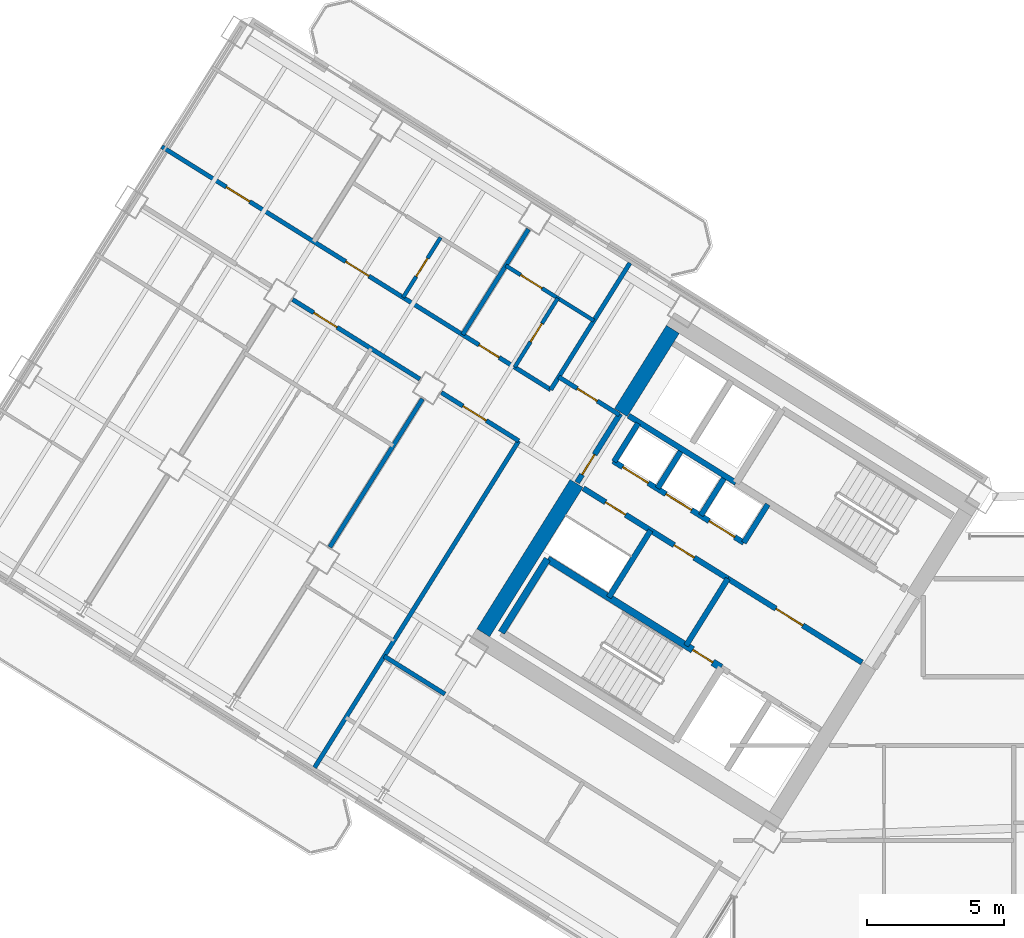
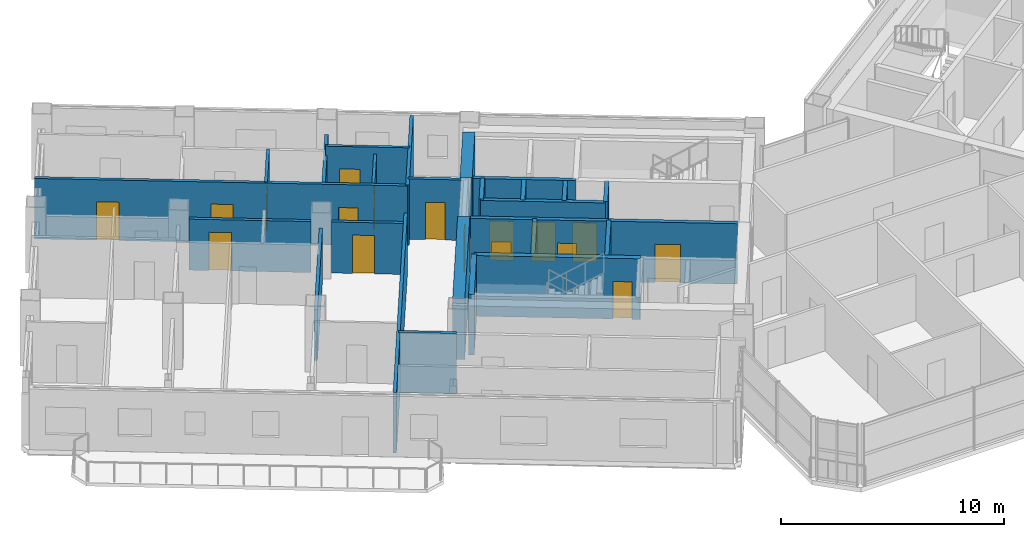
# One storey, part 17 of 29: 27 walls, 17 doors, 17 openings.
"""IFC4 building model written with IfcOpenShell, lengths in metres."""

from ifc_helpers import new_model, si_unit, direction, frame, frame_2d, origin, place, context, subcontext, project, spatial, rectangle, extrude, source, transform, mapped, material, layer, layer_set, type_object, element, fill, save


model = new_model("IFC4")

# Units and contexts
model_context = context("Model", 3, precision=1e-05, world=origin(), true_north=direction((0.0, 1.0)))
body_context = subcontext(model_context, "Body", "Model", "MODEL_VIEW")
ifc_project = project(units=[si_unit("LENGTHUNIT", "METRE"), si_unit("AREAUNIT", "SQUARE_METRE"), si_unit("VOLUMEUNIT", "CUBIC_METRE"), si_unit("PLANEANGLEUNIT", "RADIAN"), si_unit("MASSUNIT", "GRAM", prefix="KILO")], contexts=[model_context])

# Site, building, storey
site_placement = place(None, origin())
site = spatial("IfcSite", under=ifc_project, at=site_placement, CompositionType="ELEMENT")
building_placement = place(site_placement, origin())
building = spatial("IfcBuilding", under=site, at=building_placement, Name="Tlacorven Tower", CompositionType="ELEMENT")
storey_placement = place(building_placement, frame((0.0, 0.0, 165.89990234375)))
storey = spatial("IfcBuildingStorey", under=building, at=storey_placement, Name="L42", CompositionType="ELEMENT", Elevation=165.89990234375)

# Walls
ifc_material_1 = material(Name="Concrete C60/75", Category="concrete")
ifc_layer_1 = layer(ifc_material_1, 0.550048828125)
ifc_layer_set_1 = layer_set([ifc_layer_1], Name="Concrete C60/75")
wall_type_1 = type_object("IfcWallType", Name="WL-COR-550", PredefinedType="SHEAR", material=ifc_layer_set_1)
wall_1_placement = place(storey_placement, frame((29.517333984375, 30.59423828125, 0.0), z_axis=(0.0, 0.0, 1.0), x_axis=(-0.529906864564, -0.848055844204, 0.0)))
element("IfcWall", 1, at=wall_1_placement, inside=storey, type_object=wall_type_1, Name="L42 W core end wall E2.1", PredefinedType="SHEAR", context=body_context, shape_type="SweptSolid", body=[
    extrude(rectangle(XDim=3.5751953125, YDim=0.550048828125, at=frame_2d((1.78759765625, 0.0))), origin(), (0.0, 0.0, 1.0), 3.320068359375),
])
wall_2_placement = place(storey_placement, frame((26.006591796875, 24.975830078125, 0.0), z_axis=(0.0, 0.0, 1.0), x_axis=(-0.529923795287, -0.848045264823, 0.0)))
element("IfcWall", 2, at=wall_2_placement, inside=storey, type_object=wall_type_1, Name="L42 W core end wall E2.2", PredefinedType="SHEAR", context=body_context, shape_type="SweptSolid", body=[
    extrude(rectangle(XDim=6.425048828125, YDim=0.550048828125, at=frame_2d((3.21240234375, 0.0))), origin(), (0.0, 0.0, 1.0), 3.320068359375),
])

# Wall, opening, door
ifc_material_2 = material(Name="Gypsum plasterboard acoustic partition", Category="gypsum")
ifc_layer_2 = layer(ifc_material_2, 0.159912109375)
ifc_layer_set_2 = layer_set([ifc_layer_2], Name="Gypsum plasterboard acoustic partition")
wall_type_2 = type_object("IfcWallType", Name="WL-DEM-160", PredefinedType="PARTITIONING", material=ifc_layer_set_2)
wall_3_placement = place(storey_placement, frame((27.56982421875, 27.4775390625, 0.0), z_axis=(0.0, 0.0, 1.0), x_axis=(-0.848050851465, 0.529914854792, 0.0)))
wall_3 = element("IfcWall", 3, at=wall_3_placement, inside=storey, type_object=wall_type_2, Name="L42 partition 43", PredefinedType="PARTITIONING", context=body_context, shape_type="SweptSolid", body=[
    extrude(rectangle(XDim=2.60986328125, YDim=0.159912109375, at=frame_2d((1.304931640625, 0.0))), origin(), (0.0, 0.0, 1.0), 3.31005859375),
])
opening_1_placement = place(wall_3_placement, frame((0.949951171875, 0.0, 0.0)))
opening_1 = element("IfcOpeningElement", 4, at=opening_1_placement, cuts=wall_3, Name="Opening D19", PredefinedType="OPENING", context=body_context, shape_type="SweptSolid", body=[
    extrude(rectangle(XDim=0.860107421875, YDim=2.050048828125, at=frame_2d((0.43017578125, 1.02490234375))), frame((0.0, 0.08984375, 0.0), z_axis=(0.0, -1.0, 0.0), x_axis=(1.0, 0.0, 0.0)), (0.0, 0.0, 1.0), 0.179931640625),
])
ifc_material_3 = material(Name="Fire-rated steel door assembly", Category="steel")
door_type_1 = type_object("IfcDoorType", Name="DR-RSR-FD60-0860", OperationType="NOTDEFINED", PredefinedType="DOOR", material=ifc_material_3)
shared_shape_1 = source(origin(), body_context, "Body", "SweptSolid", [
    extrude(rectangle(XDim=0.860107421875, YDim=2.050048828125, at=frame_2d((0.43017578125, 1.02490234375))), frame((0.0, 0.02490234375, 0.0), z_axis=(0.0, -1.0, 0.0), x_axis=(1.0, 0.0, 0.0)), (0.0, 0.0, 1.0), 0.050048828125),
])
door_1_placement = place(opening_1_placement, frame((0.860107421875, 0.0, 0.0), z_axis=(0.0, 0.0, 1.0), x_axis=(-1.0, 0.0, 0.0)))
door_1 = element("IfcDoor", 5, at=door_1_placement, inside=storey, type_object=door_type_1, Name="L42 door 020", OperationType="SINGLE_SWING_RIGHT", OverallHeight=2.050048828125, OverallWidth=0.860107421875, PredefinedType="DOOR", context=body_context, shape_type="MappedRepresentation", body=[
    mapped(shared_shape_1, transform((0.0, 0.0, 0.0), scale=1.0)),
])
fill(opening_1, door_1)

# Walls
wall_4_placement = place(storey_placement, frame((21.20556640625, 17.29248046875, 0.0), z_axis=(0.0, 0.0, 1.0), x_axis=(-0.848050851465, 0.529914854792, 0.0)))
element("IfcWall", 6, at=wall_4_placement, inside=storey, type_object=wall_type_2, Name="L42 partition 44", PredefinedType="PARTITIONING", context=body_context, shape_type="SweptSolid", body=[
    extrude(rectangle(XDim=2.60986328125, YDim=0.159912109375, at=frame_2d((1.304931640625, 0.0))), origin(), (0.0, 0.0, 1.0), 3.31005859375),
])
wall_5_placement = place(storey_placement, frame((27.952880859375, 33.01611328125, 0.0), z_axis=(0.0, 0.0, 1.0), x_axis=(-0.529906322364, -0.848056182997, 0.0)))
element("IfcWall", 7, at=wall_5_placement, inside=storey, type_object=wall_type_2, Name="L42 partition 45", PredefinedType="PARTITIONING", context=body_context, shape_type="SweptSolid", body=[
    extrude(rectangle(XDim=5.449951171875, YDim=0.159912109375, at=frame_2d((2.72509765625, 0.0))), origin(), (0.0, 0.0, 1.0), 3.31005859375),
])
wall_6_placement = place(storey_placement, frame((23.899169921875, 26.528564453125, 0.0), z_axis=(0.0, 0.0, 1.0), x_axis=(-0.529917716469, -0.848049063305, 0.0)))
element("IfcWall", 8, at=wall_6_placement, inside=storey, type_object=wall_type_2, Name="L42 partition 46", PredefinedType="PARTITIONING", context=body_context, shape_type="SweptSolid", body=[
    extrude(rectangle(XDim=14.050048828125, YDim=0.159912109375, at=frame_2d((7.02490234375, 0.0))), origin(), (0.0, 0.0, 1.0), 3.31005859375),
])

# Wall, openings, doors
wall_7_placement = place(storey_placement, frame((25.06494140625, 28.394287109375, 0.0), z_axis=(0.0, 0.0, 1.0), x_axis=(-0.848048310262, 0.529918921593, 0.0)))
wall_7 = element("IfcWall", 9, at=wall_7_placement, inside=storey, type_object=wall_type_2, Name="L42 Wing W Corridor South Wall", PredefinedType="PARTITIONING", context=body_context, shape_type="SweptSolid", body=[
    extrude(rectangle(XDim=16.72998046875, YDim=0.159912109375, at=frame_2d((8.364990234375, 0.0))), origin(), (0.0, 0.0, 1.0), 3.31005859375),
])
opening_2_placement = place(wall_7_placement, frame((2.219970703125, 0.0, 0.0)))
opening_2 = element("IfcOpeningElement", 10, at=opening_2_placement, cuts=wall_7, Name="Opening D19", PredefinedType="OPENING", context=body_context, shape_type="SweptSolid", body=[
    extrude(rectangle(XDim=0.860107421875, YDim=2.050048828125, at=frame_2d((0.43017578125, 1.02490234375))), frame((0.0, 0.08984375, 0.0), z_axis=(0.0, -1.0, 0.0), x_axis=(1.0, 0.0, 0.0)), (0.0, 0.0, 1.0), 0.179931640625),
])
opening_3_placement = place(wall_7_placement, frame((7.820068359375, 0.0, 0.0)))
opening_3 = element("IfcOpeningElement", 11, at=opening_3_placement, cuts=wall_7, Name="Opening D11", PredefinedType="OPENING", context=body_context, shape_type="SweptSolid", body=[
    extrude(rectangle(XDim=1.0, YDim=2.10009765625, at=frame_2d((0.5, 1.050048828125))), frame((0.0, 0.08984375, 0.0), z_axis=(0.0, -1.0, 0.0), x_axis=(1.0, 0.0, 0.0)), (0.0, 0.0, 1.0), 0.179931640625),
])
opening_4_placement = place(wall_7_placement, frame((12.949951171875, 0.0, 0.0)))
opening_4 = element("IfcOpeningElement", 12, at=opening_4_placement, cuts=wall_7, Name="Opening D11", PredefinedType="OPENING", context=body_context, shape_type="SweptSolid", body=[
    extrude(rectangle(XDim=1.0, YDim=2.10009765625, at=frame_2d((0.5, 1.050048828125))), frame((0.0, 0.08984375, 0.0), z_axis=(0.0, -1.0, 0.0), x_axis=(1.0, 0.0, 0.0)), (0.0, 0.0, 1.0), 0.179931640625),
])
door_2_placement = place(opening_2_placement, origin())
door_2 = element("IfcDoor", 13, at=door_2_placement, inside=storey, type_object=door_type_1, Name="L42 door 034", OperationType="SINGLE_SWING_LEFT", OverallHeight=2.050048828125, OverallWidth=0.860107421875, PredefinedType="DOOR", context=body_context, shape_type="MappedRepresentation", body=[
    mapped(shared_shape_1, transform((0.0, 0.0, 0.0), scale=1.0)),
])
fill(opening_2, door_2)
door_type_2 = type_object("IfcDoorType", Name="DR-FLT-FD60-1000", OperationType="NOTDEFINED", PredefinedType="DOOR", material=ifc_material_3)
shared_shape_2 = source(origin(), body_context, "Body", "SweptSolid", [
    extrude(rectangle(XDim=1.0, YDim=2.10009765625, at=frame_2d((0.5, 1.050048828125))), frame((0.0, 0.02490234375, 0.0), z_axis=(0.0, -1.0, 0.0), x_axis=(1.0, 0.0, 0.0)), (0.0, 0.0, 1.0), 0.050048828125),
])
door_3_placement = place(opening_3_placement, origin())
door_3 = element("IfcDoor", 14, at=door_3_placement, inside=storey, type_object=door_type_2, Name="L42 door 037", OperationType="SINGLE_SWING_RIGHT", OverallHeight=2.10009765625, OverallWidth=1.0, PredefinedType="DOOR", context=body_context, shape_type="MappedRepresentation", body=[
    mapped(shared_shape_2, transform((0.0, 0.0, 0.0), scale=1.0)),
])
fill(opening_3, door_3)
door_4_placement = place(opening_4_placement, origin())
door_4 = element("IfcDoor", 15, at=door_4_placement, inside=storey, type_object=door_type_2, Name="L42 door 040", OperationType="SINGLE_SWING_LEFT", OverallHeight=2.10009765625, OverallWidth=1.0, PredefinedType="DOOR", context=body_context, shape_type="MappedRepresentation", body=[
    mapped(shared_shape_2, transform((0.0, 0.0, 0.0), scale=1.0)),
])
fill(opening_4, door_4)

# Wall, opening, door
wall_8_placement = place(storey_placement, frame((23.899169921875, 26.528564453125, 0.0), z_axis=(0.0, 0.0, 1.0), x_axis=(-0.848064240775, 0.529893426567, 0.0)))
wall_8 = element("IfcWall", 16, at=wall_8_placement, inside=storey, type_object=wall_type_2, Name="L42 Wing W Corridor North Wall", PredefinedType="PARTITIONING", context=body_context, shape_type="SweptSolid", body=[
    extrude(rectangle(XDim=3.327880859375, YDim=0.159912109375, at=frame_2d((1.6640625, 0.0))), origin(), (0.0, 0.0, 1.0), 2.795166015625),
])
opening_5_placement = place(wall_8_placement, frame((1.39501953125, 0.0, 0.0)))
opening_5 = element("IfcOpeningElement", 17, at=opening_5_placement, cuts=wall_8, Name="Opening D11", PredefinedType="OPENING", context=body_context, shape_type="SweptSolid", body=[
    extrude(rectangle(XDim=1.0, YDim=2.10009765625, at=frame_2d((0.5, 1.050048828125))), frame((0.0, 0.08984375, 0.0), z_axis=(0.0, -1.0, 0.0), x_axis=(1.0, 0.0, 0.0)), (0.0, 0.0, 1.0), 0.179931640625),
])
door_5_placement = place(opening_5_placement, origin())
door_5 = element("IfcDoor", 18, at=door_5_placement, inside=storey, type_object=door_type_2, Name="L42 door 022", OperationType="SINGLE_SWING_LEFT", OverallHeight=2.10009765625, OverallWidth=1.0, PredefinedType="DOOR", context=body_context, shape_type="MappedRepresentation", body=[
    mapped(shared_shape_2, transform((0.0, 0.0, 0.0), scale=1.0)),
])
fill(opening_5, door_5)

wall_9_placement = place(storey_placement, frame((20.293212890625, 28.78173828125, 0.0), z_axis=(0.0, 0.0, 1.0), x_axis=(-0.848040881926, 0.529930809241, 0.0)))
wall_9 = element("IfcWall", 19, at=wall_9_placement, inside=storey, type_object=wall_type_2, Name="L42 Wing W Corridor North Wall", PredefinedType="PARTITIONING", context=body_context, shape_type="SweptSolid", body=[
    extrude(rectangle(XDim=5.475830078125, YDim=0.159912109375, at=frame_2d((2.73779296875, 0.0))), origin(), (0.0, 0.0, 1.0), 2.795166015625),
])
opening_6_placement = place(wall_9_placement, frame((3.568115234375, 0.0, 0.0)))
opening_6 = element("IfcOpeningElement", 20, at=opening_6_placement, cuts=wall_9, Name="Opening D11", PredefinedType="OPENING", context=body_context, shape_type="SweptSolid", body=[
    extrude(rectangle(XDim=1.0, YDim=2.10009765625, at=frame_2d((0.5, 1.050048828125))), frame((0.0, 0.08984375, 0.0), z_axis=(0.0, -1.0, 0.0), x_axis=(1.0, 0.0, 0.0)), (0.0, 0.0, 1.0), 0.179931640625),
])
door_6_placement = place(opening_6_placement, origin())
door_6 = element("IfcDoor", 21, at=door_6_placement, inside=storey, type_object=door_type_2, Name="L42 door 025", OperationType="SINGLE_SWING_LEFT", OverallHeight=2.10009765625, OverallWidth=1.0, PredefinedType="DOOR", context=body_context, shape_type="MappedRepresentation", body=[
    mapped(shared_shape_2, transform((0.0, 0.0, 0.0), scale=1.0)),
])
fill(opening_6, door_6)

# Walls
wall_10_placement = place(storey_placement, frame((20.38720703125, 28.060302734375, 0.0), z_axis=(0.0, 0.0, 1.0), x_axis=(-0.529902564924, -0.848058530814, 0.0)))
element("IfcWall", 22, at=wall_10_placement, inside=storey, type_object=wall_type_2, Name="L42 WN Demising Wall 1", PredefinedType="PARTITIONING", context=body_context, shape_type="SweptSolid", body=[
    extrude(rectangle(XDim=6.3759765625, YDim=0.159912109375, at=frame_2d((3.18798828125, 0.0))), origin(), (0.0, 0.0, 1.0), 2.795166015625),
])
wall_11_placement = place(storey_placement, frame((24.255615234375, 34.2509765625, 0.0), z_axis=(0.0, 0.0, 1.0), x_axis=(-0.529926399231, -0.848043637673, 0.0)))
element("IfcWall", 23, at=wall_11_placement, inside=storey, type_object=wall_type_2, Name="L42 WS Demising Wall 1", PredefinedType="PARTITIONING", context=body_context, shape_type="SweptSolid", body=[
    extrude(rectangle(XDim=4.537841796875, YDim=0.159912109375, at=frame_2d((2.26904296875, 0.0))), origin(), (0.0, 0.0, 1.0), 2.795166015625),
])

# Wall, opening, door
ifc_material_4 = material(Name="Moisture-resistant gypsum plumbing wall", Category="gypsum")
ifc_layer_3 = layer(ifc_material_4, 0.139892578125)
ifc_layer_set_3 = layer_set([ifc_layer_3], Name="Moisture-resistant gypsum plumbing wall")
wall_type_3 = type_object("IfcWallType", Name="WL-PLM-140", PredefinedType="PLUMBINGWALL", material=ifc_layer_set_3)
wall_12_placement = place(storey_placement, frame((26.638916015625, 30.912841796875, 0.0), z_axis=(0.0, 0.0, 1.0), x_axis=(-0.84803087207, 0.529946827537, 0.0)))
wall_12 = element("IfcWall", 24, at=wall_12_placement, inside=storey, type_object=wall_type_3, Name="L42 partition 62", PredefinedType="PLUMBINGWALL", context=body_context, shape_type="SweptSolid", body=[
    extrude(rectangle(XDim=3.7900390625, YDim=0.139892578125, at=frame_2d((1.89501953125, 0.0))), origin(), (0.0, 0.0, 1.0), 3.31005859375),
])
opening_7_placement = place(wall_12_placement, frame((2.22998046875, 0.0, 0.0)))
opening_7 = element("IfcOpeningElement", 25, at=opening_7_placement, cuts=wall_12, Name="Opening D12", PredefinedType="OPENING", context=body_context, shape_type="SweptSolid", body=[
    extrude(rectangle(XDim=0.919921875, YDim=2.080078125, at=frame_2d((0.4599609375, 1.0400390625))), frame((0.0, 0.080078125, 0.0), z_axis=(0.0, -1.0, 0.0), x_axis=(1.0, 0.0, 0.0)), (0.0, 0.0, 1.0), 0.159912109375),
])
ifc_material_5 = material(Name="Powder-coated aluminium and timber door", Category="wood")
door_type_3 = type_object("IfcDoorType", Name="DR-INT-ROOM-0920", OperationType="NOTDEFINED", PredefinedType="DOOR", material=ifc_material_5)
shared_shape_3 = source(origin(), body_context, "Body", "SweptSolid", [
    extrude(rectangle(XDim=0.919921875, YDim=2.080078125, at=frame_2d((0.4599609375, 1.0400390625))), frame((0.0, 0.02490234375, 0.0), z_axis=(0.0, -1.0, 0.0), x_axis=(1.0, 0.0, 0.0)), (0.0, 0.0, 1.0), 0.050048828125),
])
door_7_placement = place(opening_7_placement, origin())
door_7 = element("IfcDoor", 26, at=door_7_placement, inside=storey, type_object=door_type_3, Name="L42 door 035", OperationType="SINGLE_SWING_RIGHT", OverallHeight=2.080078125, OverallWidth=0.919921875, PredefinedType="DOOR", context=body_context, shape_type="MappedRepresentation", body=[
    mapped(shared_shape_3, transform((0.0, 0.0, 0.0), scale=1.0)),
])
fill(opening_7, door_7)

wall_13_placement = place(storey_placement, frame((25.32421875, 31.734375, 0.0), z_axis=(0.0, 0.0, 1.0), x_axis=(-0.529873322326, -0.848076802116, 0.0)))
wall_13 = element("IfcWall", 27, at=wall_13_placement, inside=storey, type_object=wall_type_3, Name="L42 partition 63", PredefinedType="PLUMBINGWALL", context=body_context, shape_type="SweptSolid", body=[
    extrude(rectangle(XDim=2.969970703125, YDim=0.139892578125, at=frame_2d((1.48486328125, 0.0))), origin(), (0.0, 0.0, 1.0), 2.93505859375),
])
opening_8_placement = place(wall_13_placement, frame((1.094970703125, 0.0, 0.0)))
opening_8 = element("IfcOpeningElement", 28, at=opening_8_placement, cuts=wall_13, Name="Opening D22", PredefinedType="OPENING", context=body_context, shape_type="SweptSolid", body=[
    extrude(rectangle(XDim=0.780029296875, YDim=2.050048828125, at=frame_2d((0.39013671875, 1.02490234375))), frame((0.0, 0.080078125, 0.0), z_axis=(0.0, -1.0, 0.0), x_axis=(1.0, 0.0, 0.0)), (0.0, 0.0, 1.0), 0.159912109375),
])
door_type_4 = type_object("IfcDoorType", Name="DR-INT-WET-0780", OperationType="NOTDEFINED", PredefinedType="DOOR", material=ifc_material_5)
shared_shape_4 = source(origin(), body_context, "Body", "SweptSolid", [
    extrude(rectangle(XDim=0.780029296875, YDim=2.050048828125, at=frame_2d((0.39013671875, 1.02490234375))), frame((0.0, 0.02490234375, 0.0), z_axis=(0.0, -1.0, 0.0), x_axis=(1.0, 0.0, 0.0)), (0.0, 0.0, 1.0), 0.050048828125),
])
door_8_placement = place(opening_8_placement, origin())
door_8 = element("IfcDoor", 29, at=door_8_placement, inside=storey, type_object=door_type_4, Name="L42 door 036", OperationType="SINGLE_SWING_LEFT", OverallHeight=2.050048828125, OverallWidth=0.780029296875, PredefinedType="DOOR", context=body_context, shape_type="MappedRepresentation", body=[
    mapped(shared_shape_4, transform((0.0, 0.0, 0.0), scale=1.0)),
])
fill(opening_8, door_8)

wall_14_placement = place(storey_placement, frame((21.047119140625, 33.947265625, 0.0), z_axis=(0.0, 0.0, 1.0), x_axis=(-0.529913878929, -0.848051461244, 0.0)))
wall_14 = element("IfcWall", 30, at=wall_14_placement, inside=storey, type_object=wall_type_3, Name="L42 partition 66", PredefinedType="PLUMBINGWALL", context=body_context, shape_type="SweptSolid", body=[
    extrude(rectangle(XDim=2.580078125, YDim=0.139892578125, at=frame_2d((1.2900390625, 0.0))), origin(), (0.0, 0.0, 1.0), 3.31005859375),
])
opening_9_placement = place(wall_14_placement, frame((0.89990234375, 0.0, 0.0)))
opening_9 = element("IfcOpeningElement", 31, at=opening_9_placement, cuts=wall_14, Name="Opening D22", PredefinedType="OPENING", context=body_context, shape_type="SweptSolid", body=[
    extrude(rectangle(XDim=0.780029296875, YDim=2.050048828125, at=frame_2d((0.39013671875, 1.02490234375))), frame((0.0, 0.080078125, 0.0), z_axis=(0.0, -1.0, 0.0), x_axis=(1.0, 0.0, 0.0)), (0.0, 0.0, 1.0), 0.159912109375),
])
door_9_placement = place(opening_9_placement, origin())
door_9 = element("IfcDoor", 32, at=door_9_placement, inside=storey, type_object=door_type_4, Name="L42 door 039", OperationType="SINGLE_SWING_RIGHT", OverallHeight=2.050048828125, OverallWidth=0.780029296875, PredefinedType="DOOR", context=body_context, shape_type="MappedRepresentation", body=[
    mapped(shared_shape_4, transform((0.0, 0.0, 0.0), scale=1.0)),
])
fill(opening_9, door_9)

ifc_material_6 = material(Name="Concrete C40/50", Category="concrete")
ifc_layer_4 = layer(ifc_material_6, 0.199951171875)
ifc_layer_set_4 = layer_set([ifc_layer_4], Name="Concrete C40/50")
wall_type_4 = type_object("IfcWallType", Name="WL-SHF-200", PredefinedType="STANDARD", material=ifc_layer_set_4)
wall_15_placement = place(storey_placement, frame((36.416748046875, 18.447265625, 0.0), z_axis=(0.0, 0.0, 1.0), x_axis=(-0.848064879198, 0.529892404805, 0.0)))
wall_15 = element("IfcWall", 33, at=wall_15_placement, inside=storey, type_object=wall_type_4, Name="L42 Core W Smoke Lobby Wall", PredefinedType="STANDARD", context=body_context, shape_type="SweptSolid", body=[
    extrude(rectangle(XDim=5.76806640625, YDim=0.199951171875, at=frame_2d((2.884033203125, 0.0))), origin(), (0.0, 0.0, 1.0), 3.31005859375),
])
opening_10_placement = place(wall_15_placement, frame((2.548095703125, 0.0, 0.0)))
opening_10 = element("IfcOpeningElement", 34, at=opening_10_placement, cuts=wall_15, Name="Opening D09", PredefinedType="OPENING", context=body_context, shape_type="SweptSolid", body=[
    extrude(rectangle(XDim=1.14990234375, YDim=2.10009765625, at=frame_2d((0.574951171875, 1.050048828125))), frame((0.0, 0.10986328125, 0.0), z_axis=(0.0, -1.0, 0.0), x_axis=(1.0, 0.0, 0.0)), (0.0, 0.0, 1.0), 0.219970703125),
])
door_type_5 = type_object("IfcDoorType", Name="DR-FFL-FD60-1150", OperationType="NOTDEFINED", PredefinedType="DOOR", material=ifc_material_3)
shared_shape_5 = source(origin(), body_context, "Body", "SweptSolid", [
    extrude(rectangle(XDim=1.14990234375, YDim=2.10009765625, at=frame_2d((0.574951171875, 1.050048828125))), frame((0.0, 0.02490234375, 0.0), z_axis=(0.0, -1.0, 0.0), x_axis=(1.0, 0.0, 0.0)), (0.0, 0.0, 1.0), 0.050048828125),
])
door_10_placement = place(opening_10_placement, origin())
door_10 = element("IfcDoor", 35, at=door_10_placement, inside=storey, type_object=door_type_5, Name="L42 Firefighting Lobby W Fire Door", OperationType="SINGLE_SWING_RIGHT", OverallHeight=2.10009765625, OverallWidth=1.14990234375, PredefinedType="DOOR", context=body_context, shape_type="MappedRepresentation", body=[
    mapped(shared_shape_5, transform((0.0, 0.0, 0.0), scale=1.0)),
])
fill(opening_10, door_10)

# Wall
wall_16_placement = place(storey_placement, frame((31.82177734375, 24.99755859375, 0.0), z_axis=(0.0, 0.0, 1.0), x_axis=(-0.848036912365, 0.52993716162, 0.0)))
element("IfcWall", 36, at=wall_16_placement, inside=storey, type_object=wall_type_4, Name="L42 Core W South Lift Shaft Wall", PredefinedType="STANDARD", context=body_context, shape_type="SweptSolid", body=[
    extrude(rectangle(XDim=4.617919921875, YDim=0.199951171875, at=frame_2d((2.30908203125, 0.0))), origin(), (0.0, 0.0, 1.0), 3.31005859375),
])

# Wall, openings, doors
wall_17_placement = place(storey_placement, frame((32.108154296875, 22.81396484375, 0.0), z_axis=(0.0, 0.0, 1.0), x_axis=(-0.848042229521, 0.529928652696, 0.0)))
wall_17 = element("IfcWall", 37, at=wall_17_placement, inside=storey, type_object=wall_type_4, Name="L42 partition 11", PredefinedType="STANDARD", context=body_context, shape_type="SweptSolid", body=[
    extrude(rectangle(XDim=5.6201171875, YDim=0.199951171875, at=frame_2d((2.81005859375, 0.0))), origin(), (0.0, 0.0, 1.0), 3.31005859375),
])
opening_11_placement = place(wall_17_placement, frame((0.389892578125, 0.0, 0.0)))
opening_11 = element("IfcOpeningElement", 38, at=opening_11_placement, cuts=wall_17, Name="Opening LD01", PredefinedType="OPENING", context=body_context, shape_type="SweptSolid", body=[
    extrude(rectangle(XDim=1.10009765625, YDim=2.14990234375, at=frame_2d((0.550048828125, 1.074951171875))), frame((0.0, 0.10986328125, 0.0), z_axis=(0.0, -1.0, 0.0), x_axis=(1.0, 0.0, 0.0)), (0.0, 0.0, 1.0), 0.219970703125),
])
opening_12_placement = place(wall_17_placement, frame((2.25, 0.0, 0.0)))
opening_12 = element("IfcOpeningElement", 39, at=opening_12_placement, cuts=wall_17, Name="Opening LD01", PredefinedType="OPENING", context=body_context, shape_type="SweptSolid", body=[
    extrude(rectangle(XDim=1.10009765625, YDim=2.14990234375, at=frame_2d((0.550048828125, 1.074951171875))), frame((0.0, 0.10986328125, 0.0), z_axis=(0.0, -1.0, 0.0), x_axis=(1.0, 0.0, 0.0)), (0.0, 0.0, 1.0), 0.219970703125),
])
opening_13_placement = place(wall_17_placement, frame((4.110107421875, 0.0, 0.0)))
opening_13 = element("IfcOpeningElement", 40, at=opening_13_placement, cuts=wall_17, Name="Opening LD01", PredefinedType="OPENING", context=body_context, shape_type="SweptSolid", body=[
    extrude(rectangle(XDim=1.10009765625, YDim=2.14990234375, at=frame_2d((0.550048828125, 1.074951171875))), frame((0.0, 0.10986328125, 0.0), z_axis=(0.0, -1.0, 0.0), x_axis=(1.0, 0.0, 0.0)), (0.0, 0.0, 1.0), 0.219970703125),
])
door_type_6 = type_object("IfcDoorType", Name="DR-LFT-SLID-1100", OperationType="DOUBLE_DOOR_SLIDING", PredefinedType="DOOR", material=ifc_material_3)
shared_shape_6 = source(origin(), body_context, "Body", "SweptSolid", [
    extrude(rectangle(XDim=1.10009765625, YDim=2.14990234375, at=frame_2d((0.550048828125, 1.074951171875))), frame((0.0, 0.02490234375, 0.0), z_axis=(0.0, -1.0, 0.0), x_axis=(1.0, 0.0, 0.0)), (0.0, 0.0, 1.0), 0.050048828125),
])
door_11_placement = place(opening_11_placement, origin())
door_11 = element("IfcDoor", 41, at=door_11_placement, inside=storey, type_object=door_type_6, Name="L42 Lift PL-M1 Sliding Landing Door", OperationType="DOUBLE_DOOR_SLIDING", OverallHeight=2.14990234375, OverallWidth=1.10009765625, PredefinedType="DOOR", context=body_context, shape_type="MappedRepresentation", body=[
    mapped(shared_shape_6, transform((0.0, 0.0, 0.0), scale=1.0)),
])
fill(opening_11, door_11)
door_12_placement = place(opening_12_placement, origin())
door_12 = element("IfcDoor", 42, at=door_12_placement, inside=storey, type_object=door_type_6, Name="L42 Lift PL-M2 Sliding Landing Door", OperationType="DOUBLE_DOOR_SLIDING", OverallHeight=2.14990234375, OverallWidth=1.10009765625, PredefinedType="DOOR", context=body_context, shape_type="MappedRepresentation", body=[
    mapped(shared_shape_6, transform((0.0, 0.0, 0.0), scale=1.0)),
])
fill(opening_12, door_12)
door_13_placement = place(opening_13_placement, origin())
door_13 = element("IfcDoor", 43, at=door_13_placement, inside=storey, type_object=door_type_6, Name="L42 Lift PL-M3 Sliding Landing Door", OperationType="DOUBLE_DOOR_SLIDING", OverallHeight=2.14990234375, OverallWidth=1.10009765625, PredefinedType="DOOR", context=body_context, shape_type="MappedRepresentation", body=[
    mapped(shared_shape_6, transform((0.0, 0.0, 0.0), scale=1.0)),
])
fill(opening_13, door_13)

# Walls
wall_18_placement = place(storey_placement, frame((32.982421875, 24.21337890625, 0.0), z_axis=(0.0, 0.0, 1.0), x_axis=(-0.529839334948, -0.84809803628, 0.0)))
element("IfcWall", 44, at=wall_18_placement, inside=storey, type_object=wall_type_4, Name="L42 partition 12", PredefinedType="STANDARD", context=body_context, shape_type="SweptSolid", body=[
    extrude(rectangle(XDim=1.650146484375, YDim=0.199951171875, at=frame_2d((0.8251953125, 0.0))), origin(), (0.0, 0.0, 1.0), 3.31005859375),
])
wall_19_placement = place(storey_placement, frame((28.250244140625, 27.170166015625, 0.0), z_axis=(0.0, 0.0, 1.0), x_axis=(-0.529905827651, -0.848056492117, 0.0)))
element("IfcWall", 45, at=wall_19_placement, inside=storey, type_object=wall_type_4, Name="L42 partition 13", PredefinedType="STANDARD", context=body_context, shape_type="SweptSolid", body=[
    extrude(rectangle(XDim=1.64990234375, YDim=0.199951171875, at=frame_2d((0.824951171875, 0.0))), origin(), (0.0, 0.0, 1.0), 3.31005859375),
])
for number, where, z_axis, x_axis, name in (
    (46, (31.378662109375, 25.156494140625, 0.0), (0.0, 0.0, 1.0), (-0.529998940003, -0.847998304005, 0.0), "L42 partition 18"),
    (47, (29.80126953125, 26.14208984375, 0.0), (0.0, 0.0, 1.0), (-0.529998940003, -0.847998304005, 0.0), "L42 partition 19"),
):
    element("IfcWall", number, at=place(storey_placement, frame(where, z_axis=z_axis, x_axis=x_axis)), inside=storey, type_object=wall_type_4, Name=name, PredefinedType="STANDARD", context=body_context, shape_type="SweptSolid", body=[
        extrude(rectangle(XDim=1.580078125, YDim=0.199951171875, at=frame_2d((0.7900390625, 0.0))), origin(), (0.0, 0.0, 1.0), 3.31005859375),
    ])
for number, where, z_axis, x_axis, name in (
    (48, (31.525146484375, 21.503662109375, 0.0), (0.0, 0.0, 1.0), (-0.529907497854, -0.848055448493, 0.0), "L42 partition 20"),
    (49, (28.709716796875, 23.26318359375, 0.0), (0.0, 0.0, 1.0), (-0.529907497854, -0.848055448493, 0.0), "L42 partition 21"),
):
    element("IfcWall", number, at=place(storey_placement, frame(where, z_axis=z_axis, x_axis=x_axis)), inside=storey, type_object=wall_type_4, Name=name, PredefinedType="STANDARD", context=body_context, shape_type="SweptSolid", body=[
        extrude(rectangle(XDim=2.8798828125, YDim=0.199951171875, at=frame_2d((1.43994140625, 0.0))), origin(), (0.0, 0.0, 1.0), 3.31005859375),
    ])

# Wall, openings, doors
wall_20_placement = place(storey_placement, frame((31.525146484375, 21.503662109375, 0.0), z_axis=(0.0, 0.0, 1.0), x_axis=(-0.848040211232, 0.529931882541, 0.0)))
wall_20 = element("IfcWall", 50, at=wall_20_placement, inside=storey, type_object=wall_type_4, Name="L42 Core W North Service Wall", PredefinedType="STANDARD", context=body_context, shape_type="SweptSolid", body=[
    extrude(rectangle(XDim=6.218017578125, YDim=0.199951171875, at=frame_2d((3.10888671875, 0.0))), origin(), (0.0, 0.0, 1.0), 3.31005859375),
])
opening_14_placement = place(wall_20_placement, frame((4.39990234375, 0.0, 0.0)))
opening_14 = element("IfcOpeningElement", 51, at=opening_14_placement, cuts=wall_20, Name="Opening D19", PredefinedType="OPENING", context=body_context, shape_type="SweptSolid", body=[
    extrude(rectangle(XDim=0.860107421875, YDim=2.050048828125, at=frame_2d((0.43017578125, 1.02490234375))), frame((0.0, 0.10986328125, 0.0), z_axis=(0.0, -1.0, 0.0), x_axis=(1.0, 0.0, 0.0)), (0.0, 0.0, 1.0), 0.219970703125),
])
opening_15_placement = place(wall_20_placement, frame((1.449951171875, 0.0, 0.0)))
opening_15 = element("IfcOpeningElement", 52, at=opening_15_placement, cuts=wall_20, Name="Opening D19", PredefinedType="OPENING", context=body_context, shape_type="SweptSolid", body=[
    extrude(rectangle(XDim=0.860107421875, YDim=2.050048828125, at=frame_2d((0.43017578125, 1.02490234375))), frame((0.0, 0.10986328125, 0.0), z_axis=(0.0, -1.0, 0.0), x_axis=(1.0, 0.0, 0.0)), (0.0, 0.0, 1.0), 0.219970703125),
])
door_14_placement = place(opening_14_placement, frame((0.860107421875, 0.0, 0.0), z_axis=(0.0, 0.0, 1.0), x_axis=(-1.0, 0.0, 0.0)))
door_14 = element("IfcDoor", 53, at=door_14_placement, inside=storey, type_object=door_type_1, Name="L42 Electrical Riser Access Door W", OperationType="SINGLE_SWING_LEFT", OverallHeight=2.050048828125, OverallWidth=0.860107421875, PredefinedType="DOOR", context=body_context, shape_type="MappedRepresentation", body=[
    mapped(shared_shape_1, transform((0.0, 0.0, 0.0), scale=1.0)),
])
fill(opening_14, door_14)
door_15_placement = place(opening_15_placement, frame((0.860107421875, 0.0, 0.0), z_axis=(0.0, 0.0, 1.0), x_axis=(-1.0, 0.0, 0.0)))
door_15 = element("IfcDoor", 54, at=door_15_placement, inside=storey, type_object=door_type_1, Name="L42 Housekeeping Linen Access Door W", OperationType="SINGLE_SWING_RIGHT", OverallHeight=2.050048828125, OverallWidth=0.860107421875, PredefinedType="DOOR", context=body_context, shape_type="MappedRepresentation", body=[
    mapped(shared_shape_1, transform((0.0, 0.0, 0.0), scale=1.0)),
])
fill(opening_15, door_15)

# Wall, opening, door
wall_21_placement = place(storey_placement, frame((27.59619140625, 27.52001953125, 0.0), z_axis=(0.0, 0.0, 1.0), x_axis=(-0.529865479138, -0.848081702443, 0.0)))
wall_21 = element("IfcWall", 55, at=wall_21_placement, inside=storey, type_object=wall_type_4, Name="L42 partition 42", PredefinedType="STANDARD", context=body_context, shape_type="SweptSolid", body=[
    extrude(rectangle(XDim=2.9599609375, YDim=0.199951171875, at=frame_2d((1.47998046875, 0.0))), origin(), (0.0, 0.0, 1.0), 3.31005859375),
])
opening_16_placement = place(wall_21_placement, frame((1.760009765625, 0.0, 0.0)))
opening_16 = element("IfcOpeningElement", 56, at=opening_16_placement, cuts=wall_21, Name="Opening D19", PredefinedType="OPENING", context=body_context, shape_type="SweptSolid", body=[
    extrude(rectangle(XDim=0.860107421875, YDim=2.050048828125, at=frame_2d((0.43017578125, 1.02490234375))), frame((0.0, 0.10986328125, 0.0), z_axis=(0.0, -1.0, 0.0), x_axis=(1.0, 0.0, 0.0)), (0.0, 0.0, 1.0), 0.219970703125),
])
door_16_placement = place(opening_16_placement, origin())
door_16 = element("IfcDoor", 57, at=door_16_placement, inside=storey, type_object=door_type_1, Name="L42 door 021", OperationType="SINGLE_SWING_LEFT", OverallHeight=2.050048828125, OverallWidth=0.860107421875, PredefinedType="DOOR", context=body_context, shape_type="MappedRepresentation", body=[
    mapped(shared_shape_1, transform((0.0, 0.0, 0.0), scale=1.0)),
])
fill(opening_16, door_16)

ifc_material_7 = material(Name="Concrete C50/60", Category="concrete")
ifc_layer_5 = layer(ifc_material_7, 0.260009765625)
ifc_layer_set_5 = layer_set([ifc_layer_5], Name="Concrete C50/60")
wall_type_5 = type_object("IfcWallType", Name="WL-STW-260", PredefinedType="SHEAR", material=ifc_layer_set_5)
wall_22_placement = place(storey_placement, frame((31.279541015625, 18.26123046875, 0.0), z_axis=(0.0, 0.0, 1.0), x_axis=(-0.848051618787, 0.529913626805, 0.0)))
wall_22 = element("IfcWall", 58, at=wall_22_placement, inside=storey, type_object=wall_type_5, Name="L42 Stair W1 Lobby Shear Wall", PredefinedType="SHEAR", context=body_context, shape_type="SweptSolid", body=[
    extrude(rectangle(XDim=7.4599609375, YDim=0.260009765625, at=frame_2d((3.72998046875, 0.0))), origin(), (0.0, 0.0, 1.0), 3.320068359375),
])
opening_17_placement = place(wall_22_placement, frame((0.360107421875, 0.0, 0.0)))
opening_17 = element("IfcOpeningElement", 59, at=opening_17_placement, cuts=wall_22, Name="Opening D19", PredefinedType="OPENING", context=body_context, shape_type="SweptSolid", body=[
    extrude(rectangle(XDim=0.860107421875, YDim=2.050048828125, at=frame_2d((0.43017578125, 1.02490234375))), frame((0.0, 0.14013671875, 0.0), z_axis=(0.0, -1.0, 0.0), x_axis=(1.0, 0.0, 0.0)), (0.0, 0.0, 1.0), 0.280029296875),
])
door_17_placement = place(opening_17_placement, frame((0.860107421875, 0.0, 0.0), z_axis=(0.0, 0.0, 1.0), x_axis=(-1.0, 0.0, 0.0)))
door_17 = element("IfcDoor", 60, at=door_17_placement, inside=storey, type_object=door_type_1, Name="L42 Exit Stair W1 Fire Door", OperationType="SINGLE_SWING_LEFT", OverallHeight=2.050048828125, OverallWidth=0.860107421875, PredefinedType="DOOR", context=body_context, shape_type="MappedRepresentation", body=[
    mapped(shared_shape_1, transform((0.0, 0.0, 0.0), scale=1.0)),
])
fill(opening_17, door_17)

# Wall
wall_23_placement = place(storey_placement, frame((24.944580078125, 22.2197265625, 0.0), z_axis=(0.0, 0.0, 1.0), x_axis=(-0.529908658664, -0.84805472316, 0.0)))
element("IfcWall", 61, at=wall_23_placement, inside=storey, type_object=wall_type_5, Name="L42 Stair W1 East Shear Wall", PredefinedType="SHEAR", context=body_context, shape_type="SweptSolid", body=[
    extrude(rectangle(XDim=3.16015625, YDim=0.260009765625, at=frame_2d((1.580078125, 0.0))), origin(), (0.0, 0.0, 1.0), 3.320068359375),
])

save(model, "model.ifc")
